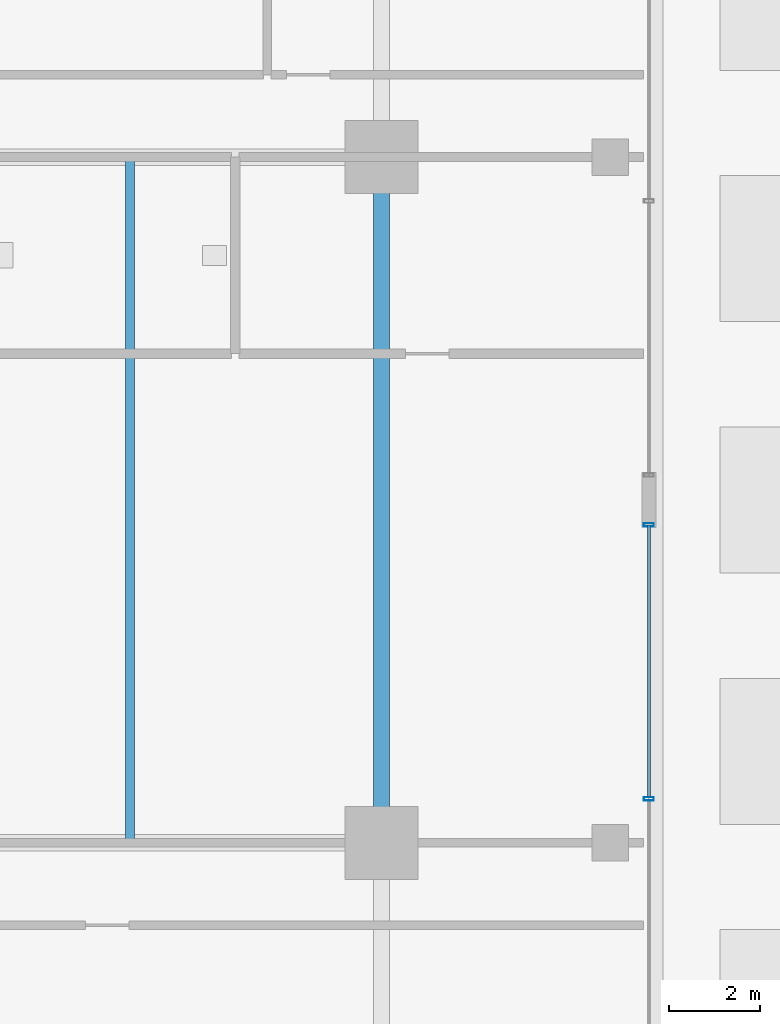
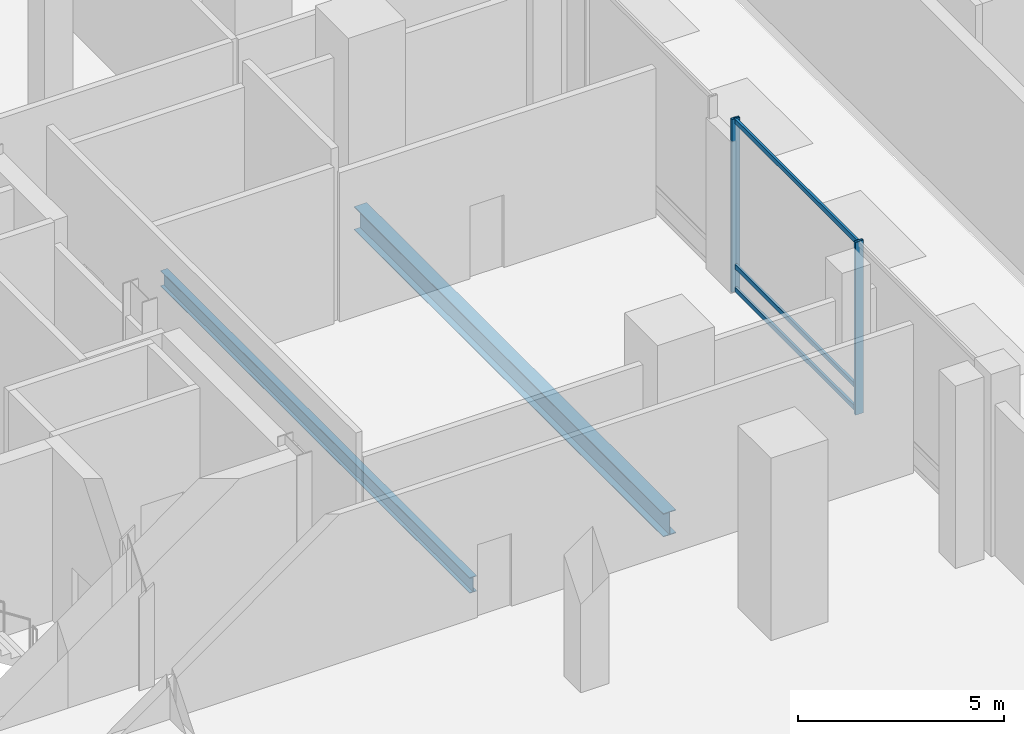
# One storey, part 11 of 36: 5 members, 2 beams, 1 element without a shape of its own.
"""IFC4 building model written with IfcOpenShell, lengths in metres."""

from ifc_helpers import new_model, si_unit, direction, frame, origin, origin_2d, place, context, subcontext, project, spatial, hollow_rectangle, i_section, extrude, material, layer, layer_set, material_profile, profile_set, type_object, element, aggregate, save


model = new_model("IFC4")

# Units and contexts
model_context = context("Model", 3, precision=1e-05, world=origin(), true_north=direction((0.0, 1.0)))
body_context = subcontext(model_context, "Body", "Model", "MODEL_VIEW")
ifc_project = project(units=[si_unit("LENGTHUNIT", "METRE"), si_unit("AREAUNIT", "SQUARE_METRE"), si_unit("VOLUMEUNIT", "CUBIC_METRE"), si_unit("PLANEANGLEUNIT", "RADIAN"), si_unit("MASSUNIT", "GRAM", prefix="KILO")], contexts=[model_context])

# Site, building, storey
site_placement = place(None, origin())
site = spatial("IfcSite", under=ifc_project, at=site_placement, CompositionType="ELEMENT")
building_placement = place(site_placement, origin())
building = spatial("IfcBuilding", under=site, at=building_placement, Name="Barlavira Tower and Art Museum", CompositionType="ELEMENT")
storey_placement = place(building_placement, frame((0.0, 0.0, 11.39990234375)))
storey = spatial("IfcBuildingStorey", under=building, at=storey_placement, Name="L02", CompositionType="ELEMENT", Elevation=11.39990234375)

# Curtain wall, members
ifc_material_1 = material(Name="Low-iron coastal laminated glass", Category="glass")
ifc_layer = layer(ifc_material_1, 0.219970703125, Name="Low-iron coastal laminated glass")
ifc_layer_set = layer_set([ifc_layer], Name="Low-iron coastal laminated glass")
curtain_wall_type = type_object("IfcCurtainWallType", Name="Double-Height Podium Arcade Storefront Curtain Wall", PredefinedType="NOTDEFINED", material=ifc_layer_set)
curtain_wall_placement = place(storey_placement, origin())
curtain_wall = element("IfcCurtainWall", 1, at=curtain_wall_placement, inside=storey, type_object=curtain_wall_type, Name="L02 Curtain Wall CW5-L02-ES", PredefinedType="NOTDEFINED")
ifc_material_2 = material(Name="Pale anodised aluminium", Category="aluminium")
ifc_material_profile_1 = material_profile(ifc_material_2, hollow_rectangle(XDim=0.074951171875, YDim=0.219970703125, WallThickness=0.0048828125, at=origin_2d()), Name="ALU-MULL 75x220x5")
ifc_profile_set_1 = profile_set([ifc_material_profile_1], Name="Pale anodised aluminium")
member_type_1 = type_object("IfcMemberType", Name="Curtain Wall Heavy Pale-Metal Mullion 75x220", PredefinedType="MULLION", material=ifc_profile_set_1)
member_1_placement = place(storey_placement, frame((22.85009765625, -6.5400390625, 0.0), z_axis=(0.0, 0.0, 1.0), x_axis=(0.0, 1.0, 0.0)))
member_1 = element("IfcMember", 2, at=member_1_placement, type_object=member_type_1, Name="CW5-L02-ES Mullion 1", PredefinedType="MULLION", context=body_context, shape_type="SweptSolid", body=[
    extrude(hollow_rectangle(XDim=0.074951171875, YDim=0.219970703125, WallThickness=0.0048828125, at=origin_2d()), origin(), (0.0, 0.0, 1.0), 5.1201171875),
])
member_2_placement = place(storey_placement, frame((22.85009765625, -0.544921875, 0.0), z_axis=(0.0, 0.0, 1.0), x_axis=(0.0, 1.0, 0.0)))
member_2 = element("IfcMember", 3, at=member_2_placement, type_object=member_type_1, Name="CW5-L02-ES Mullion 2", PredefinedType="MULLION", context=body_context, shape_type="SweptSolid", body=[
    extrude(hollow_rectangle(XDim=0.074951171875, YDim=0.219970703125, WallThickness=0.0048828125, at=origin_2d()), origin(), (0.0, 0.0, 1.0), 5.1201171875),
])
ifc_material_profile_2 = material_profile(ifc_material_2, hollow_rectangle(XDim=0.06494140625, YDim=0.139892578125, WallThickness=0.00390625, at=origin_2d()), Name="ALU-TRAN 65x140x4")
ifc_profile_set_2 = profile_set([ifc_material_profile_2], Name="Pale anodised aluminium")
member_type_2 = type_object("IfcMemberType", Name="Curtain Wall Pale-Metal Transom 65x140", PredefinedType="USERDEFINED", material=ifc_profile_set_2)
member_3_placement = place(storey_placement, frame((22.85009765625, -6.4951171875, 0.070068359375), z_axis=(0.0, 1.0, 0.0), x_axis=(-1.0, 0.0, 0.0)))
member_3 = element("IfcMember", 4, at=member_3_placement, type_object=member_type_2, Name="CW5-L02-ES Transom 1.1", ObjectType="TRANSOM", PredefinedType="USERDEFINED", context=body_context, shape_type="SweptSolid", body=[
    extrude(hollow_rectangle(XDim=0.06494140625, YDim=0.139892578125, WallThickness=0.00390625, at=origin_2d()), origin(), (0.0, 0.0, 1.0), 5.9501953125),
])
member_4_placement = place(storey_placement, frame((22.85009765625, -6.4951171875, 0.75), z_axis=(0.0, 1.0, 0.0), x_axis=(-1.0, 0.0, 0.0)))
member_4 = element("IfcMember", 5, at=member_4_placement, type_object=member_type_2, Name="CW5-L02-ES Transom 1.2", ObjectType="TRANSOM", PredefinedType="USERDEFINED", context=body_context, shape_type="SweptSolid", body=[
    extrude(hollow_rectangle(XDim=0.06494140625, YDim=0.139892578125, WallThickness=0.00390625, at=origin_2d()), origin(), (0.0, 0.0, 1.0), 5.9501953125),
])
member_5_placement = place(storey_placement, frame((22.85009765625, -6.4951171875, 5.050048828125), z_axis=(0.0, 1.0, 0.0), x_axis=(-1.0, 0.0, 0.0)))
member_5 = element("IfcMember", 6, at=member_5_placement, type_object=member_type_2, Name="CW5-L02-ES Transom 1.3", ObjectType="TRANSOM", PredefinedType="USERDEFINED", context=body_context, shape_type="SweptSolid", body=[
    extrude(hollow_rectangle(XDim=0.06494140625, YDim=0.139892578125, WallThickness=0.00390625, at=origin_2d()), origin(), (0.0, 0.0, 1.0), 5.9501953125),
])
aggregate(curtain_wall, [member_1, member_2, member_3, member_4, member_5])

# Beams
ifc_material_3 = material(Name="Steel S355", Category="steel")
ifc_material_profile_3 = material_profile(ifc_material_3, i_section(OverallWidth=0.19189453125, OverallDepth=0.462890625, WebThickness=0.010498046875, FlangeThickness=0.017578125, at=origin_2d()), Name="W460x89.0")
ifc_profile_set_3 = profile_set([ifc_material_profile_3], Name="Steel S355")
beam_type_1 = type_object("IfcBeamType", Name="Podium Floor Joist W460x89 Steel S355", PredefinedType="JOIST", material=ifc_profile_set_3)
beam_1_placement = place(storey_placement, frame((11.5, -7.5, -0.511474609375), z_axis=(0.0, 1.0, 0.0), x_axis=(-1.0, 0.0, 0.0)))
element("IfcBeam", 7, at=beam_1_placement, inside=storey, type_object=beam_type_1, Name="L02 Joist W2", PredefinedType="JOIST", context=body_context, shape_type="SweptSolid", body=[
    extrude(i_section(OverallWidth=0.19189453125, OverallDepth=0.462890625, WebThickness=0.010498046875, FlangeThickness=0.017578125, at=origin_2d()), origin(), (0.0, 0.0, 1.0), 15.0),
])
ifc_material_profile_4 = material_profile(ifc_material_3, i_section(OverallWidth=0.35595703125, OverallDepth=0.695068359375, WebThickness=0.014892578125, FlangeThickness=0.023681640625, at=origin_2d()), Name="W690x192.0")
ifc_profile_set_4 = profile_set([ifc_material_profile_4], Name="Steel S355")
beam_type_2 = type_object("IfcBeamType", Name="Podium Primary Girder W690x192 Steel S355", PredefinedType="BEAM", material=ifc_profile_set_4)
beam_2_placement = place(storey_placement, frame((17.0, -7.5, -0.62744140625), z_axis=(0.0, 1.0, 0.0), x_axis=(-1.0, 0.0, 0.0)))
element("IfcBeam", 8, at=beam_2_placement, inside=storey, type_object=beam_type_2, Name="L02 Girder M-E2", PredefinedType="BEAM", context=body_context, shape_type="SweptSolid", body=[
    extrude(i_section(OverallWidth=0.35595703125, OverallDepth=0.695068359375, WebThickness=0.014892578125, FlangeThickness=0.023681640625, at=origin_2d()), origin(), (0.0, 0.0, 1.0), 15.0),
])

save(model, "model.ifc")
